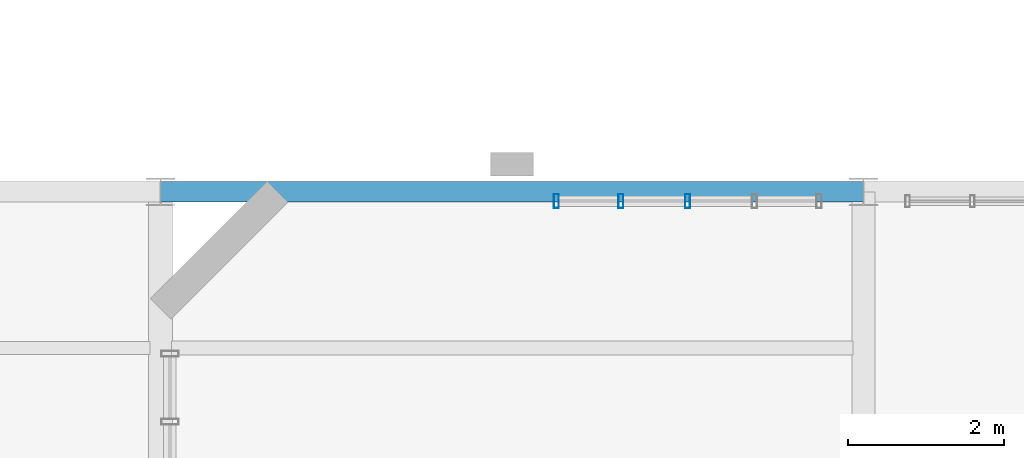
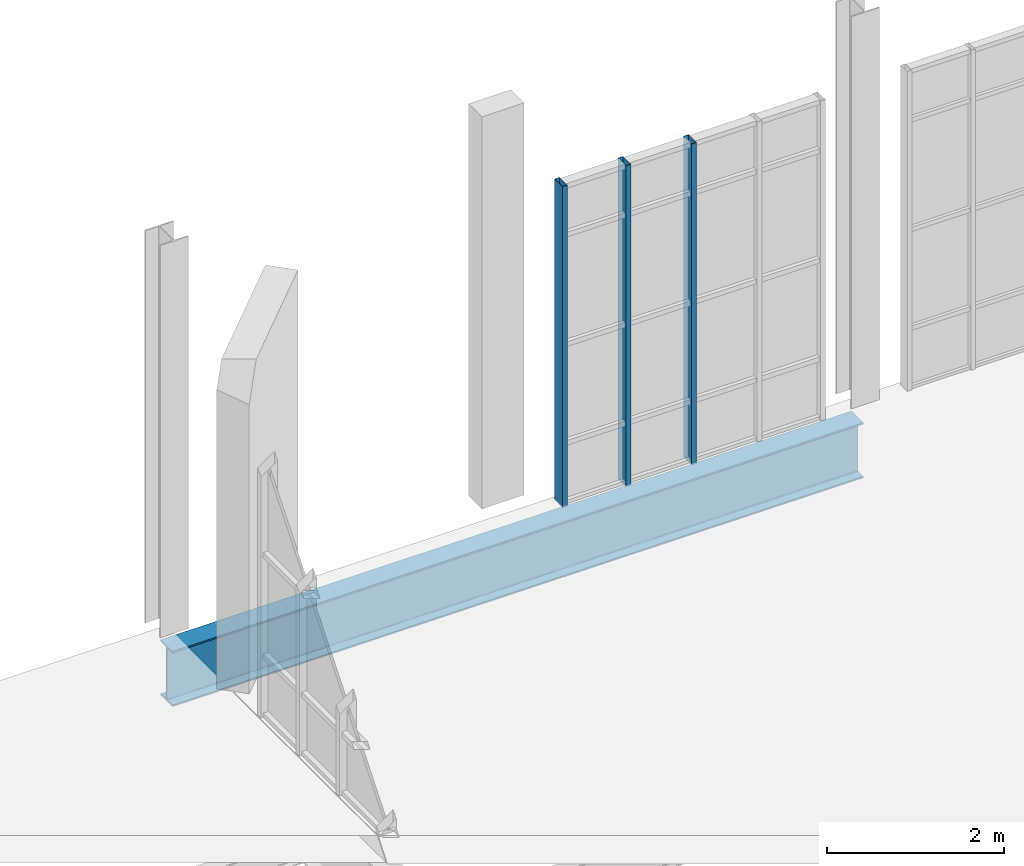
# One storey, part 99 of 189: 3 members, 1 beam, 1 element without a shape of its own.
"""IFC4 building model written with IfcOpenShell, lengths in metres."""

from ifc_helpers import new_model, si_unit, direction, frame, origin, origin_2d, place, context, subcontext, project, spatial, hollow_rectangle, i_section, extrude, material, layer, layer_set, material_profile, profile_set, type_object, element, aggregate, save


model = new_model("IFC4")

# Units and contexts
model_context = context("Model", 3, precision=1e-05, world=origin(), true_north=direction((0.0, 1.0)))
body_context = subcontext(model_context, "Body", "Model", "MODEL_VIEW")
ifc_project = project(units=[si_unit("LENGTHUNIT", "METRE"), si_unit("AREAUNIT", "SQUARE_METRE"), si_unit("VOLUMEUNIT", "CUBIC_METRE"), si_unit("PLANEANGLEUNIT", "RADIAN"), si_unit("MASSUNIT", "GRAM", prefix="KILO"), si_unit("THERMODYNAMICTEMPERATUREUNIT", "KELVIN"), si_unit("POWERUNIT", "WATT")], contexts=[model_context])

# Site, building, storey
site_placement = place(None, origin())
site = spatial("IfcSite", under=ifc_project, at=site_placement, CompositionType="ELEMENT")
building_placement = place(site_placement, origin())
building = spatial("IfcBuilding", under=site, at=building_placement, Name="Zelmaris Science Centre", CompositionType="ELEMENT")
storey_placement = place(building_placement, origin())
storey = spatial("IfcBuildingStorey", under=building, at=storey_placement, Name="L00", CompositionType="ELEMENT", Elevation=0.0)

# Curtain wall, members
ifc_material_1 = material(Name="Anodised architectural aluminium 6063-T6", Category="aluminium")
ifc_layer = layer(ifc_material_1, 0.2099609375, Name="Anodised architectural aluminium 6063-T6")
ifc_layer_set = layer_set([ifc_layer], Name="Anodised architectural aluminium 6063-T6")
curtain_wall_type = type_object("IfcCurtainWallType", Name="Curtain Wall CW-03", PredefinedType="USERDEFINED", material=ifc_layer_set)
curtain_wall_placement = place(storey_placement, origin())
curtain_wall = element("IfcCurtainWall", 1, at=curtain_wall_placement, inside=storey, type_object=curtain_wall_type, Name="L00 Unitised curtain wall 83", ObjectType="GLAZED CURTAIN WALL", PredefinedType="USERDEFINED")
ifc_material_profile_1 = material_profile(ifc_material_1, hollow_rectangle(XDim=0.06494140625, YDim=0.179931640625, WallThickness=0.00390625, at=origin_2d()), Name="ALU-MUL-65X180")
ifc_profile_set_1 = profile_set([ifc_material_profile_1], Name="Anodised architectural aluminium 6063-T6")
member_type = type_object("IfcMemberType", Name="ALU-MUL-65X180", PredefinedType="MULLION", material=ifc_profile_set_1)
member_1_placement = place(storey_placement, frame((95.068603515625, 87.8798828125, -0.014892578125), z_axis=(0.0, 0.0, 1.0), x_axis=(1.0, 0.0, 0.0)))
member_1 = element("IfcMember", 2, at=member_1_placement, type_object=member_type, Name="CW-03 mullion 1", PredefinedType="MULLION", context=body_context, shape_type="SweptSolid", body=[
    extrude(hollow_rectangle(XDim=0.06494140625, YDim=0.179931640625, WallThickness=0.00390625, at=origin_2d()), origin(), (0.0, 0.0, 1.0), 4.4169921875),
])
member_2_placement = place(storey_placement, frame((95.89501953125, 87.8798828125, -0.014892578125), z_axis=(0.0, 0.0, 1.0), x_axis=(1.0, 0.0, 0.0)))
member_2 = element("IfcMember", 3, at=member_2_placement, type_object=member_type, Name="CW-03 mullion 2", PredefinedType="MULLION", context=body_context, shape_type="SweptSolid", body=[
    extrude(hollow_rectangle(XDim=0.06494140625, YDim=0.179931640625, WallThickness=0.00390625, at=origin_2d()), origin(), (0.0, 0.0, 1.0), 4.4169921875),
])
member_3_placement = place(storey_placement, frame((96.75, 87.8798828125, -0.014892578125), z_axis=(0.0, 0.0, 1.0), x_axis=(1.0, 0.0, 0.0)))
member_3 = element("IfcMember", 4, at=member_3_placement, type_object=member_type, Name="CW-03 mullion 3", PredefinedType="MULLION", context=body_context, shape_type="SweptSolid", body=[
    extrude(hollow_rectangle(XDim=0.06494140625, YDim=0.179931640625, WallThickness=0.00390625, at=origin_2d()), origin(), (0.0, 0.0, 1.0), 4.4169921875),
])
aggregate(curtain_wall, [member_1, member_2, member_3])

# Beam
ifc_material_2 = material(Name="Steel ASTM A992 Grade 50", Category="steel")
ifc_material_profile_2 = material_profile(ifc_material_2, i_section(OverallWidth=0.26708984375, OverallDepth=0.761962890625, WebThickness=0.014404296875, FlangeThickness=0.021484375, FilletRadius=0.01904296875, at=origin_2d()), Name="W30X116")
ifc_profile_set_2 = profile_set([ifc_material_profile_2], Name="Steel ASTM A992 Grade 50")
beam_type = type_object("IfcBeamType", Name="Beam G-33 W30X116", PredefinedType="BEAM", material=ifc_profile_set_2)
beam_placement = place(storey_placement, frame((90.0, 88.0, -0.660888671875), z_axis=(1.0, 0.0, 0.0), x_axis=(0.0, 1.0, 0.0)))
element("IfcBeam", 5, at=beam_placement, inside=storey, type_object=beam_type, Name="L00 East-west girder 177", PredefinedType="BEAM", context=body_context, shape_type="SweptSolid", body=[
    extrude(i_section(OverallWidth=0.26708984375, OverallDepth=0.761962890625, WebThickness=0.014404296875, FlangeThickness=0.021484375, FilletRadius=0.01904296875, at=origin_2d()), origin(), (0.0, 0.0, 1.0), 9.0),
])

save(model, "model.ifc")
